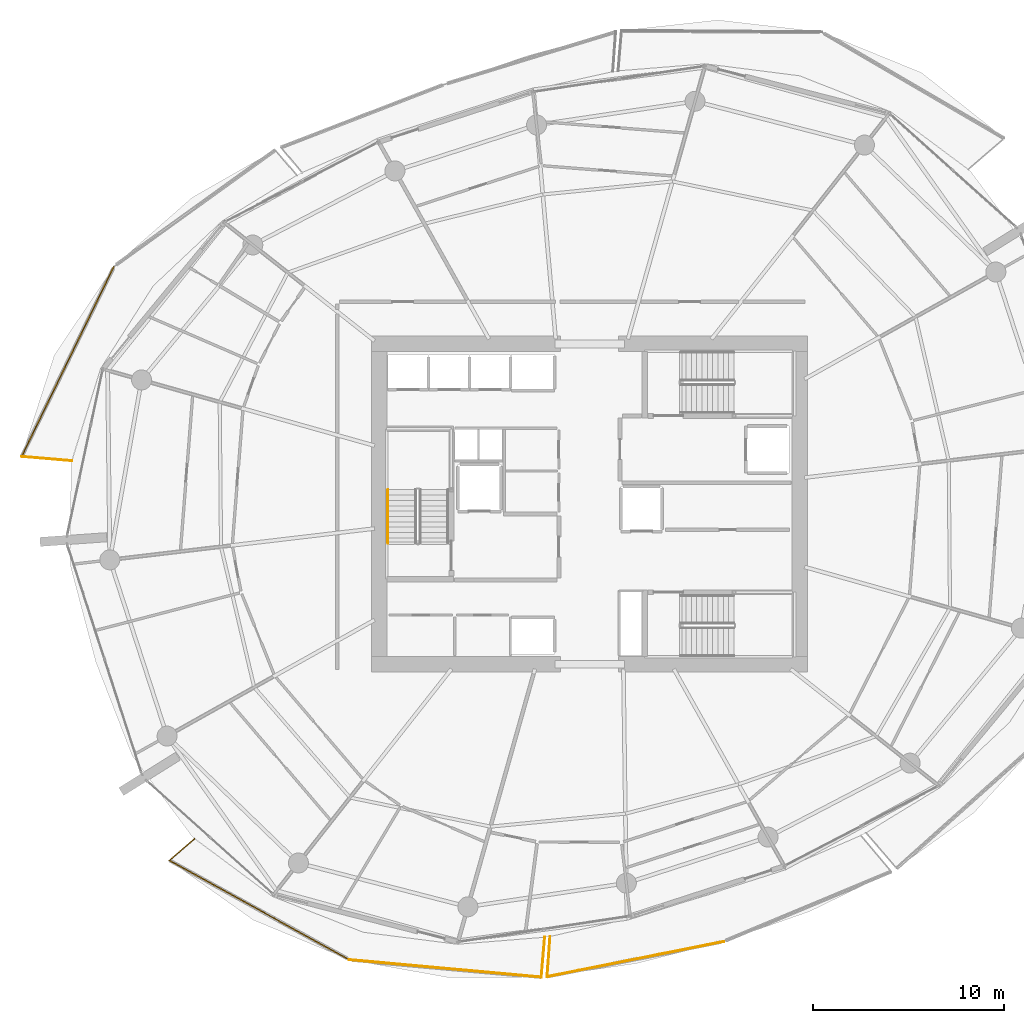
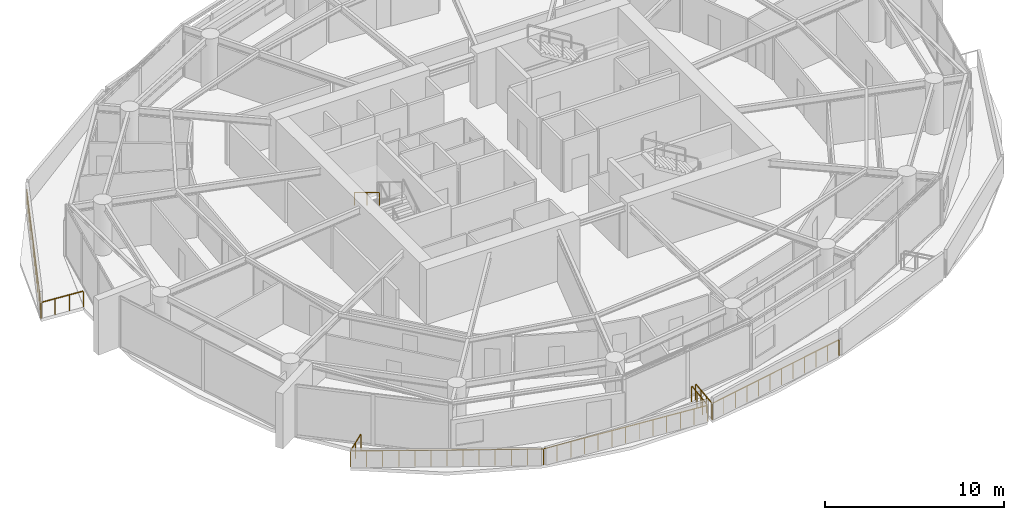
# One storey, part 16 of 20: 9 railings.
"""IFC4 building model written with IfcOpenShell, lengths in metres."""

from ifc_helpers import new_model, si_unit, direction, frame, origin, origin_2d, place, context, subcontext, project, spatial, rectangle, extrude, material, type_object, element, save


model = new_model("IFC4")

# Units and contexts
model_context = context("Model", 3, precision=1e-05, world=origin(), true_north=direction((0.0, 1.0)))
body_context = subcontext(model_context, "Body", "Model", "MODEL_VIEW")
ifc_project = project(units=[si_unit("LENGTHUNIT", "METRE"), si_unit("AREAUNIT", "SQUARE_METRE"), si_unit("VOLUMEUNIT", "CUBIC_METRE"), si_unit("PLANEANGLEUNIT", "RADIAN"), si_unit("MASSUNIT", "GRAM", prefix="KILO")], contexts=[model_context])

# Site, building, storey
site_placement = place(None, origin())
site = spatial("IfcSite", under=ifc_project, at=site_placement, CompositionType="ELEMENT")
building_placement = place(site_placement, origin())
building = spatial("IfcBuilding", under=site, at=building_placement, Name="Kazma Halo Residences", CompositionType="ELEMENT")
storey_placement = place(building_placement, frame((0.0, 0.0, 165.300048828125)))
storey = spatial("IfcBuildingStorey", under=building, at=storey_placement, Name="L41", CompositionType="ELEMENT", Elevation=165.300048828125)

# Railings
ifc_material_1 = material(Name="Aluminium AW-6063 T6 Brushed Cap Rail", Category="aluminium")
railing_type_1 = type_object("IfcRailingType", Name="RLG-BAL-CAP-1120", PredefinedType="BALUSTRADE", material=ifc_material_1)
railing_1_placement = place(storey_placement, frame((23.49609375, 54.4853515625, 0.0)))
element("IfcRailing", 1, at=railing_1_placement, inside=storey, type_object=railing_type_1, Name="L41 NW wave balcony guard 3", PredefinedType="BALUSTRADE", context=body_context, shape_type="SweptSolid", body=[
    extrude(rectangle(XDim=0.050048828125, YDim=0.050048828125, at=origin_2d()), frame((-0.0185546875, -0.038330078125, 1.09521484375), z_axis=(-0.437211218284, -0.8993588553, 0.0), x_axis=(0.8993588553, -0.437211218284, 0.0)), (0.0, 0.0, 1.0), 11.027099609375),
    extrude(rectangle(XDim=0.0400390625, YDim=0.0400390625, at=origin_2d()), origin(), (0.0, 0.0, 1.0), 1.05810546875),
    extrude(rectangle(XDim=0.0400390625, YDim=0.0400390625, at=origin_2d()), frame((-0.373779296875, -0.768798828125, 0.0)), (0.0, 0.0, 1.0), 1.05810546875),
    extrude(rectangle(XDim=0.0400390625, YDim=0.0400390625, at=origin_2d()), frame((-0.74755859375, -1.53759765625, 0.0)), (0.0, 0.0, 1.0), 1.05810546875),
    extrude(rectangle(XDim=0.0400390625, YDim=0.0400390625, at=origin_2d()), frame((-1.12109375, -2.306396484375, 0.0)), (0.0, 0.0, 1.0), 1.05810546875),
    extrude(rectangle(XDim=0.0400390625, YDim=0.0400390625, at=origin_2d()), frame((-1.494873046875, -3.074951171875, 0.0)), (0.0, 0.0, 1.0), 1.05810546875),
    extrude(rectangle(XDim=0.0400390625, YDim=0.0400390625, at=origin_2d()), frame((-1.86865234375, -3.84375, 0.0)), (0.0, 0.0, 1.0), 1.05810546875),
    extrude(rectangle(XDim=0.0400390625, YDim=0.0400390625, at=origin_2d()), frame((-2.242431640625, -4.612548828125, 0.0)), (0.0, 0.0, 1.0), 1.05810546875),
    extrude(rectangle(XDim=0.0400390625, YDim=0.0400390625, at=origin_2d()), frame((-2.615966796875, -5.38134765625, 0.0)), (0.0, 0.0, 1.0), 1.05810546875),
    extrude(rectangle(XDim=0.0400390625, YDim=0.0400390625, at=origin_2d()), frame((-2.98974609375, -6.150146484375, 0.0)), (0.0, 0.0, 1.0), 1.05810546875),
    extrude(rectangle(XDim=0.0400390625, YDim=0.0400390625, at=origin_2d()), frame((-3.363525390625, -6.9189453125, 0.0)), (0.0, 0.0, 1.0), 1.05810546875),
    extrude(rectangle(XDim=0.0400390625, YDim=0.0400390625, at=origin_2d()), frame((-3.7373046875, -7.6875, 0.0)), (0.0, 0.0, 1.0), 1.05810546875),
    extrude(rectangle(XDim=0.0400390625, YDim=0.0400390625, at=origin_2d()), frame((-4.11083984375, -8.456298828125, 0.0)), (0.0, 0.0, 1.0), 1.05810546875),
    extrude(rectangle(XDim=0.0400390625, YDim=0.0400390625, at=origin_2d()), frame((-4.484619140625, -9.22509765625, 0.0)), (0.0, 0.0, 1.0), 1.05810546875),
    extrude(rectangle(XDim=0.0400390625, YDim=0.0400390625, at=origin_2d()), frame((-4.8583984375, -9.993896484375, 0.0)), (0.0, 0.0, 1.0), 1.05810546875),
])
railing_2_placement = place(storey_placement, frame((18.6376953125, 44.491455078125, 0.0)))
element("IfcRailing", 2, at=railing_2_placement, inside=storey, type_object=railing_type_1, Name="L41 NW wave balcony guard 4", PredefinedType="BALUSTRADE", context=body_context, shape_type="SweptSolid", body=[
    extrude(rectangle(XDim=0.050048828125, YDim=0.050048828125, at=origin_2d()), frame((0.04248046875, -0.003662109375, 1.09521484375), z_axis=(0.996416946767, -0.084576995667, 0.0), x_axis=(0.084576995667, 0.996416946767, 0.0)), (0.0, 0.0, 1.0), 2.55322265625),
    extrude(rectangle(XDim=0.0400390625, YDim=0.0400390625, at=origin_2d()), origin(), (0.0, 0.0, 1.0), 1.05810546875),
    extrude(rectangle(XDim=0.0400390625, YDim=0.0400390625, at=origin_2d()), frame((0.876220703125, -0.074462890625, 0.0)), (0.0, 0.0, 1.0), 1.05810546875),
    extrude(rectangle(XDim=0.0400390625, YDim=0.0400390625, at=origin_2d()), frame((1.752685546875, -0.148681640625, 0.0)), (0.0, 0.0, 1.0), 1.05810546875),
    extrude(rectangle(XDim=0.0400390625, YDim=0.0400390625, at=origin_2d()), frame((2.62890625, -0.22314453125, 0.0)), (0.0, 0.0, 1.0), 1.05810546875),
])
railing_3_placement = place(storey_placement, frame((27.705322265625, 24.451416015625, 0.0)))
element("IfcRailing", 3, at=railing_3_placement, inside=storey, type_object=railing_type_1, Name="L41 SW wave balcony guard 1", PredefinedType="BALUSTRADE", context=body_context, shape_type="SweptSolid", body=[
    extrude(rectangle(XDim=0.050048828125, YDim=0.050048828125, at=origin_2d()), frame((-0.0322265625, -0.02783203125, 1.09521484375), z_axis=(-0.756363172452, -0.654151932932, 0.0), x_axis=(0.654151932932, -0.756363172452, 0.0)), (0.0, 0.0, 1.0), 1.65869140625),
    extrude(rectangle(XDim=0.0400390625, YDim=0.0400390625, at=origin_2d()), origin(), (0.0, 0.0, 1.0), 1.05810546875),
    extrude(rectangle(XDim=0.0400390625, YDim=0.0400390625, at=origin_2d()), frame((-0.659423828125, -0.5703125, 0.0)), (0.0, 0.0, 1.0), 1.05810546875),
    extrude(rectangle(XDim=0.0400390625, YDim=0.0400390625, at=origin_2d()), frame((-1.31884765625, -1.140625, 0.0)), (0.0, 0.0, 1.0), 1.05810546875),
])
railing_4_placement = place(storey_placement, frame((26.386474609375, 23.310791015625, 0.0)))
element("IfcRailing", 4, at=railing_4_placement, inside=storey, type_object=railing_type_1, Name="L41 SW wave balcony guard 2", PredefinedType="BALUSTRADE", context=body_context, shape_type="SweptSolid", body=[
    extrude(rectangle(XDim=0.050048828125, YDim=0.050048828125, at=origin_2d()), frame((0.037353515625, -0.0205078125, 1.09521484375), z_axis=(0.875455426186, -0.483298868984, 0.0), x_axis=(0.483298868984, 0.875455426186, 0.0)), (0.0, 0.0, 1.0), 10.69384765625),
    extrude(rectangle(XDim=0.0400390625, YDim=0.0400390625, at=origin_2d()), origin(), (0.0, 0.0, 1.0), 1.05810546875),
    extrude(rectangle(XDim=0.0400390625, YDim=0.0400390625, at=origin_2d()), frame((0.786376953125, -0.43408203125, 0.0)), (0.0, 0.0, 1.0), 1.05810546875),
    extrude(rectangle(XDim=0.0400390625, YDim=0.0400390625, at=origin_2d()), frame((1.57275390625, -0.8681640625, 0.0)), (0.0, 0.0, 1.0), 1.05810546875),
    extrude(rectangle(XDim=0.0400390625, YDim=0.0400390625, at=origin_2d()), frame((2.359130859375, -1.30224609375, 0.0)), (0.0, 0.0, 1.0), 1.05810546875),
    extrude(rectangle(XDim=0.0400390625, YDim=0.0400390625, at=origin_2d()), frame((3.1455078125, -1.736572265625, 0.0)), (0.0, 0.0, 1.0), 1.05810546875),
    extrude(rectangle(XDim=0.0400390625, YDim=0.0400390625, at=origin_2d()), frame((3.931884765625, -2.170654296875, 0.0)), (0.0, 0.0, 1.0), 1.05810546875),
    extrude(rectangle(XDim=0.0400390625, YDim=0.0400390625, at=origin_2d()), frame((4.71826171875, -2.604736328125, 0.0)), (0.0, 0.0, 1.0), 1.05810546875),
    extrude(rectangle(XDim=0.0400390625, YDim=0.0400390625, at=origin_2d()), frame((5.504638671875, -3.038818359375, 0.0)), (0.0, 0.0, 1.0), 1.05810546875),
    extrude(rectangle(XDim=0.0400390625, YDim=0.0400390625, at=origin_2d()), frame((6.291015625, -3.472900390625, 0.0)), (0.0, 0.0, 1.0), 1.05810546875),
    extrude(rectangle(XDim=0.0400390625, YDim=0.0400390625, at=origin_2d()), frame((7.077392578125, -3.9072265625, 0.0)), (0.0, 0.0, 1.0), 1.05810546875),
    extrude(rectangle(XDim=0.0400390625, YDim=0.0400390625, at=origin_2d()), frame((7.86376953125, -4.34130859375, 0.0)), (0.0, 0.0, 1.0), 1.05810546875),
    extrude(rectangle(XDim=0.0400390625, YDim=0.0400390625, at=origin_2d()), frame((8.650146484375, -4.775390625, 0.0)), (0.0, 0.0, 1.0), 1.05810546875),
    extrude(rectangle(XDim=0.0400390625, YDim=0.0400390625, at=origin_2d()), frame((9.4365234375, -5.20947265625, 0.0)), (0.0, 0.0, 1.0), 1.05810546875),
])
railing_5_placement = place(storey_placement, frame((35.822998046875, 18.101318359375, 0.0)))
element("IfcRailing", 5, at=railing_5_placement, inside=storey, type_object=railing_type_1, Name="L41 SW wave balcony guard 3", PredefinedType="BALUSTRADE", context=body_context, shape_type="SweptSolid", body=[
    extrude(rectangle(XDim=0.050048828125, YDim=0.050048828125, at=origin_2d()), frame((0.04248046875, -0.00390625, 1.09521484375), z_axis=(0.995911390997, -0.090335492925, 0.0), x_axis=(0.090335492925, 0.995911390997, 0.0)), (0.0, 0.0, 1.0), 10.028076171875),
    extrude(rectangle(XDim=0.0400390625, YDim=0.0400390625, at=origin_2d()), origin(), (0.0, 0.0, 1.0), 1.05810546875),
    extrude(rectangle(XDim=0.0400390625, YDim=0.0400390625, at=origin_2d()), frame((0.83935546875, -0.076171875, 0.0)), (0.0, 0.0, 1.0), 1.05810546875),
    extrude(rectangle(XDim=0.0400390625, YDim=0.0400390625, at=origin_2d()), frame((1.6787109375, -0.15234375, 0.0)), (0.0, 0.0, 1.0), 1.05810546875),
    extrude(rectangle(XDim=0.0400390625, YDim=0.0400390625, at=origin_2d()), frame((2.51806640625, -0.228515625, 0.0)), (0.0, 0.0, 1.0), 1.05810546875),
    extrude(rectangle(XDim=0.0400390625, YDim=0.0400390625, at=origin_2d()), frame((3.357177734375, -0.304443359375, 0.0)), (0.0, 0.0, 1.0), 1.05810546875),
    extrude(rectangle(XDim=0.0400390625, YDim=0.0400390625, at=origin_2d()), frame((4.196533203125, -0.380615234375, 0.0)), (0.0, 0.0, 1.0), 1.05810546875),
    extrude(rectangle(XDim=0.0400390625, YDim=0.0400390625, at=origin_2d()), frame((5.035888671875, -0.456787109375, 0.0)), (0.0, 0.0, 1.0), 1.05810546875),
    extrude(rectangle(XDim=0.0400390625, YDim=0.0400390625, at=origin_2d()), frame((5.875244140625, -0.532958984375, 0.0)), (0.0, 0.0, 1.0), 1.05810546875),
    extrude(rectangle(XDim=0.0400390625, YDim=0.0400390625, at=origin_2d()), frame((6.714599609375, -0.609130859375, 0.0)), (0.0, 0.0, 1.0), 1.05810546875),
    extrude(rectangle(XDim=0.0400390625, YDim=0.0400390625, at=origin_2d()), frame((7.5537109375, -0.68505859375, 0.0)), (0.0, 0.0, 1.0), 1.05810546875),
    extrude(rectangle(XDim=0.0400390625, YDim=0.0400390625, at=origin_2d()), frame((8.39306640625, -0.76123046875, 0.0)), (0.0, 0.0, 1.0), 1.05810546875),
    extrude(rectangle(XDim=0.0400390625, YDim=0.0400390625, at=origin_2d()), frame((9.232421875, -0.83740234375, 0.0)), (0.0, 0.0, 1.0), 1.05810546875),
    extrude(rectangle(XDim=0.0400390625, YDim=0.0400390625, at=origin_2d()), frame((10.07177734375, -0.91357421875, 0.0)), (0.0, 0.0, 1.0), 1.05810546875),
])
railing_6_placement = place(storey_placement, frame((45.894775390625, 17.187744140625, 0.0)))
element("IfcRailing", 6, at=railing_6_placement, inside=storey, type_object=railing_type_1, Name="L41 SW wave balcony guard 4", PredefinedType="BALUSTRADE", context=body_context, shape_type="SweptSolid", body=[
    extrude(rectangle(XDim=0.050048828125, YDim=0.050048828125, at=origin_2d()), frame((0.003662109375, 0.04248046875, 1.09521484375), z_axis=(0.084431334239, 0.99642929995, 0.0), x_axis=(-0.99642929995, 0.084431334239, 0.0)), (0.0, 0.0, 1.0), 2.01416015625),
    extrude(rectangle(XDim=0.0400390625, YDim=0.0400390625, at=origin_2d()), origin(), (0.0, 0.0, 1.0), 1.05810546875),
    extrude(rectangle(XDim=0.0400390625, YDim=0.0400390625, at=origin_2d()), frame((0.05908203125, 0.697265625, 0.0)), (0.0, 0.0, 1.0), 1.05810546875),
    extrude(rectangle(XDim=0.0400390625, YDim=0.0400390625, at=origin_2d()), frame((0.1181640625, 1.39453125, 0.0)), (0.0, 0.0, 1.0), 1.05810546875),
    extrude(rectangle(XDim=0.0400390625, YDim=0.0400390625, at=origin_2d()), frame((0.17724609375, 2.091796875, 0.0)), (0.0, 0.0, 1.0), 1.05810546875),
])
railing_7_placement = place(storey_placement, frame((46.3544921875, 19.32177734375, 0.0)))
element("IfcRailing", 7, at=railing_7_placement, inside=storey, type_object=railing_type_1, Name="L41 SSE wave balcony guard 1", PredefinedType="BALUSTRADE", context=body_context, shape_type="SweptSolid", body=[
    extrude(rectangle(XDim=0.050048828125, YDim=0.050048828125, at=origin_2d()), frame((-0.003173828125, -0.04248046875, 1.09521484375), z_axis=(-0.0724124574, -0.997374772096, 0.0), x_axis=(0.997374772096, -0.0724124574, 0.0)), (0.0, 0.0, 1.0), 2.02880859375),
    extrude(rectangle(XDim=0.0400390625, YDim=0.0400390625, at=origin_2d()), origin(), (0.0, 0.0, 1.0), 1.05810546875),
    extrude(rectangle(XDim=0.0400390625, YDim=0.0400390625, at=origin_2d()), frame((-0.051025390625, -0.702880859375, 0.0)), (0.0, 0.0, 1.0), 1.05810546875),
    extrude(rectangle(XDim=0.0400390625, YDim=0.0400390625, at=origin_2d()), frame((-0.10205078125, -1.405517578125, 0.0)), (0.0, 0.0, 1.0), 1.05810546875),
    extrude(rectangle(XDim=0.0400390625, YDim=0.0400390625, at=origin_2d()), frame((-0.153076171875, -2.1083984375, 0.0)), (0.0, 0.0, 1.0), 1.05810546875),
])
railing_8_placement = place(storey_placement, frame((46.201416015625, 17.21337890625, 0.0)))
element("IfcRailing", 8, at=railing_8_placement, inside=storey, type_object=railing_type_1, Name="L41 SSE wave balcony guard 2", PredefinedType="BALUSTRADE", context=body_context, shape_type="SweptSolid", body=[
    extrude(rectangle(XDim=0.050048828125, YDim=0.050048828125, at=origin_2d()), frame((0.041748046875, 0.00830078125, 1.09521484375), z_axis=(0.980809889585, 0.194966562497, 0.0), x_axis=(-0.194966562497, 0.980809889585, 0.0)), (0.0, 0.0, 1.0), 9.350341796875),
    extrude(rectangle(XDim=0.0400390625, YDim=0.0400390625, at=origin_2d()), origin(), (0.0, 0.0, 1.0), 1.05810546875),
    extrude(rectangle(XDim=0.0400390625, YDim=0.0400390625, at=origin_2d()), frame((0.84130859375, 0.167236328125, 0.0)), (0.0, 0.0, 1.0), 1.05810546875),
    extrude(rectangle(XDim=0.0400390625, YDim=0.0400390625, at=origin_2d()), frame((1.6826171875, 0.33447265625, 0.0)), (0.0, 0.0, 1.0), 1.05810546875),
    extrude(rectangle(XDim=0.0400390625, YDim=0.0400390625, at=origin_2d()), frame((2.52392578125, 0.501708984375, 0.0)), (0.0, 0.0, 1.0), 1.05810546875),
    extrude(rectangle(XDim=0.0400390625, YDim=0.0400390625, at=origin_2d()), frame((3.365234375, 0.6689453125, 0.0)), (0.0, 0.0, 1.0), 1.05810546875),
    extrude(rectangle(XDim=0.0400390625, YDim=0.0400390625, at=origin_2d()), frame((4.20654296875, 0.836181640625, 0.0)), (0.0, 0.0, 1.0), 1.05810546875),
    extrude(rectangle(XDim=0.0400390625, YDim=0.0400390625, at=origin_2d()), frame((5.0478515625, 1.00341796875, 0.0)), (0.0, 0.0, 1.0), 1.05810546875),
    extrude(rectangle(XDim=0.0400390625, YDim=0.0400390625, at=origin_2d()), frame((5.88916015625, 1.170654296875, 0.0)), (0.0, 0.0, 1.0), 1.05810546875),
    extrude(rectangle(XDim=0.0400390625, YDim=0.0400390625, at=origin_2d()), frame((6.73046875, 1.337890625, 0.0)), (0.0, 0.0, 1.0), 1.05810546875),
    extrude(rectangle(XDim=0.0400390625, YDim=0.0400390625, at=origin_2d()), frame((7.57177734375, 1.505126953125, 0.0)), (0.0, 0.0, 1.0), 1.05810546875),
    extrude(rectangle(XDim=0.0400390625, YDim=0.0400390625, at=origin_2d()), frame((8.4130859375, 1.67236328125, 0.0)), (0.0, 0.0, 1.0), 1.05810546875),
    extrude(rectangle(XDim=0.0400390625, YDim=0.0400390625, at=origin_2d()), frame((9.25439453125, 1.839599609375, 0.0)), (0.0, 0.0, 1.0), 1.05810546875),
])
ifc_material_2 = material(Name="Brushed Stainless Steel", Category="steel")
railing_type_2 = type_object("IfcRailingType", Name="RLG-STAIR-HND-900", PredefinedType="HANDRAIL", material=ifc_material_2)
railing_9_placement = place(storey_placement, frame((37.85009765625, 42.75, 2.04541015625)))
element("IfcRailing", 9, at=railing_9_placement, inside=storey, type_object=railing_type_2, Name="L41 ST-01 stair handrail 2", PredefinedType="HANDRAIL", context=body_context, shape_type="SweptSolid", body=[
    extrude(rectangle(XDim=0.050048828125, YDim=0.050048828125, at=origin_2d()), frame((0.0, -0.036376953125, 0.89697265625), z_axis=(0.0, -0.854169791009, 0.51999420009), x_axis=(1.0, 0.0, 0.0)), (0.0, 0.0, 1.0), 3.193115234375),
    extrude(rectangle(XDim=0.0400390625, YDim=0.0400390625, at=origin_2d()), origin(), (0.0, 0.0, 1.0), 0.837890625),
    extrude(rectangle(XDim=0.0400390625, YDim=0.0400390625, at=origin_2d()), frame((0.0, -1.39990234375, 0.852294921875)), (0.0, 0.0, 1.0), 0.837890625),
    extrude(rectangle(XDim=0.0400390625, YDim=0.0400390625, at=origin_2d()), frame((0.0, -2.800048828125, 1.70458984375)), (0.0, 0.0, 1.0), 0.837890625),
])

save(model, "model.ifc")
